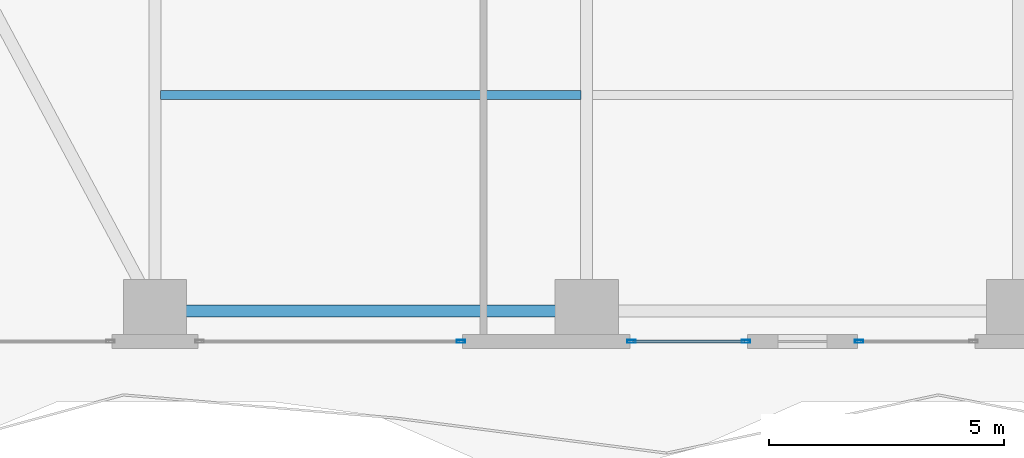
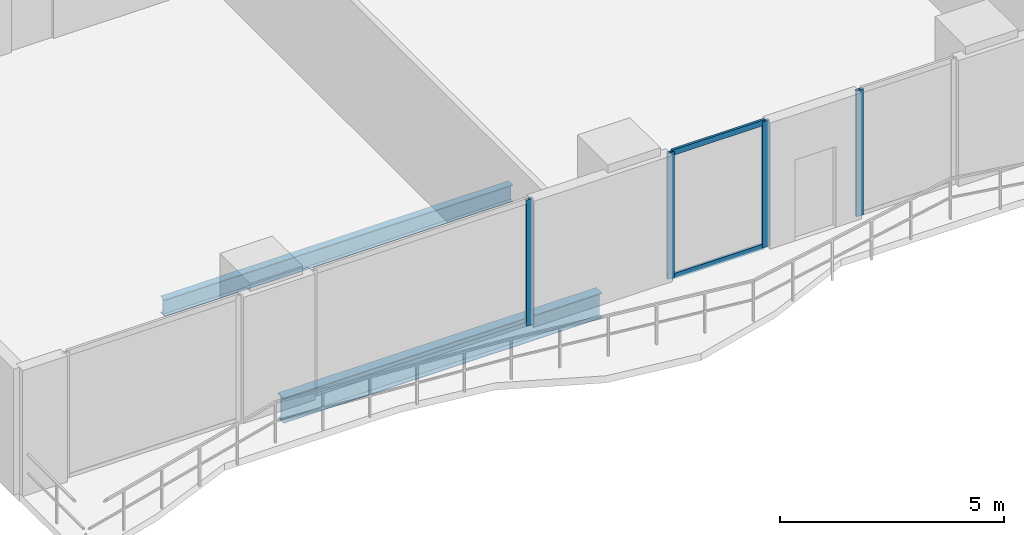
# One storey, part 4 of 29: 6 members, 2 beams, 3 elements without a shape of their own.
"""IFC4 building model written with IfcOpenShell, lengths in metres."""

import ifcopenshell
import ifcopenshell.guid

model = None  # the IFC model being written
_history = None  # IfcOwnerHistory: only IFC2X3 demands one
_inside = {}  # id of a spatial element -> (the spatial element, [elements in it])
_under = {}  # id of a project, library or spatial element -> (it, [spatial elements below it])
_declared = {}  # id of a project -> (the project, [libraries it declares])
_typed = {}  # id of a type object -> (the type object, [elements of that type])
_made_of = {}  # id of a material, layer set ... -> (it, [elements and type objects made of it])


def new_model(schema):
    """Start an empty IFC model of exactly this schema.

    Asked for "IFC4X3", IfcOpenShell would pick the latest addendum, in which some entities
    have other attributes; the version numbers below select the first issue.
    IFC2X3 requires an IfcOwnerHistory on every rooted entity: one is made here for all.
    """
    global model, _history
    if schema == "IFC4X3":
        model = ifcopenshell.file(schema_version=(4, 3, 0, 0))
    else:
        model = ifcopenshell.file(schema=schema)
    _inside.clear()
    _under.clear()
    _declared.clear()
    _typed.clear()
    _made_of.clear()
    _history = None
    if model.schema == "IFC2X3":
        org = make("IfcOrganization", Name="unknown")
        user = make(
            "IfcPersonAndOrganization",
            ThePerson=make("IfcPerson", FamilyName="unknown"),
            TheOrganization=org,
        )
        app = make(
            "IfcApplication",
            ApplicationDeveloper=org,
            Version="unknown",
            ApplicationFullName="unknown",
            ApplicationIdentifier="unknown",
        )
        _history = make(
            "IfcOwnerHistory",
            OwningUser=user,
            OwningApplication=app,
            ChangeAction="ADDED",
            CreationDate=0,
        )
    return model


def make(cls, **values):
    """One entity of the class cls with the attributes given. An attribute that is None is left unset."""
    return model.create_entity(
        cls, **{name: value for name, value in values.items() if value is not None}
    )


def rooted(cls, **values):
    """An entity with a GlobalId (a new one), such as an element, a storey or a relation."""
    return make(cls, GlobalId=ifcopenshell.guid.new(), OwnerHistory=_history, **values)


def si_unit(unit_type, name, prefix=None):
    """IfcSIUnit, for example si_unit("LENGTHUNIT", "METRE", prefix="MILLI")."""
    return make("IfcSIUnit", UnitType=unit_type, Prefix=prefix, Name=name)


def assignment(units):
    """IfcUnitAssignment: the units of a project."""
    return None if units is None else make("IfcUnitAssignment", Units=units)


def point(xyz):
    """IfcCartesianPoint."""
    return None if xyz is None else make("IfcCartesianPoint", Coordinates=xyz)


def direction(xyz):
    """IfcDirection."""
    return None if xyz is None else make("IfcDirection", DirectionRatios=xyz)


def frame(location, z_axis=None, x_axis=None):
    """IfcAxis2Placement3D, a coordinate frame: its origin and axes. An axis left out is left unset."""
    return make(
        "IfcAxis2Placement3D",
        Location=point(location),
        Axis=direction(z_axis),
        RefDirection=direction(x_axis),
    )


def frame_2d(location, x_axis=None):
    """IfcAxis2Placement2D, a coordinate frame in the plane: its origin and x axis."""
    return make(
        "IfcAxis2Placement2D", Location=point(location), RefDirection=direction(x_axis)
    )


def origin():
    """The frame at (0, 0, 0) with its axes left unset."""
    return frame((0.0, 0.0, 0.0))


def origin_2d():
    """The frame at (0, 0) in the plane with its x axis left unset."""
    return frame_2d((0.0, 0.0))


def place(relative_to, where):
    """IfcLocalPlacement: puts the frame where relative to a parent placement (None: the world)."""
    return make(
        "IfcLocalPlacement", PlacementRelTo=relative_to, RelativePlacement=where
    )


def context(
    kind, dimensions, precision=None, world=None, true_north=None, identifier=None
):
    """IfcGeometricRepresentationContext, for example the 3D "Model" context."""
    return make(
        "IfcGeometricRepresentationContext",
        ContextIdentifier=identifier,
        ContextType=kind,
        CoordinateSpaceDimension=dimensions,
        Precision=precision,
        WorldCoordinateSystem=world,
        TrueNorth=true_north,
    )


def subcontext(parent, identifier, kind, view, scale=None):
    """IfcGeometricRepresentationSubContext, for example "Body" below "Model"."""
    return make(
        "IfcGeometricRepresentationSubContext",
        ContextIdentifier=identifier,
        ContextType=kind,
        ParentContext=parent,
        TargetScale=scale,
        TargetView=view,
    )


def project(units=None, contexts=None):
    """IfcProject with its units and contexts."""
    return rooted(
        "IfcProject",
        Name="project",
        RepresentationContexts=contexts,
        UnitsInContext=assignment(units),
    )


def spatial(cls, under=None, at=None, **own):
    """A site, building, storey or space (cls), placed at a placement, below another one or the project."""
    s = rooted(cls, ObjectPlacement=at, **own)
    if under is not None:
        _under.setdefault(under.id(), (under, []))[1].append(s)
    return s


def profile(cls, at=None, kind="AREA", **sizes):
    """A parametric profile (cls). Its sizes go by their IFC names, for example OverallWidth=200.0."""
    return make(cls, ProfileType=kind, Position=at, **sizes)


def hollow_rectangle(**sizes):
    """IfcRectangleHollowProfileDef."""
    return profile("IfcRectangleHollowProfileDef", **sizes)


def i_section(**sizes):
    """IfcIShapeProfileDef."""
    return profile("IfcIShapeProfileDef", **sizes)


def extrude(swept, where, along, depth):
    """IfcExtrudedAreaSolid: the profile swept, set in the frame where, extruded along a direction by depth."""
    return make(
        "IfcExtrudedAreaSolid",
        SweptArea=swept,
        Position=where,
        ExtrudedDirection=direction(along),
        Depth=depth,
    )


def shape(context_of_items, identifier, shape_type, items):
    """IfcShapeRepresentation: the items that make up one representation, for example the "Body"."""
    return make(
        "IfcShapeRepresentation",
        ContextOfItems=context_of_items,
        RepresentationIdentifier=identifier,
        RepresentationType=shape_type,
        Items=items,
    )


def material(Name=None, Category=None):
    """IfcMaterial."""
    return make("IfcMaterial", Name=Name, Category=Category)


def layer(
    of_material, thickness, ventilated=None, Name=None, Category=None, Priority=None
):
    """IfcMaterialLayer: one layer of a wall or slab, of a material (None: an air gap)."""
    return make(
        "IfcMaterialLayer",
        Material=of_material,
        LayerThickness=thickness,
        IsVentilated=ventilated,
        Name=Name,
        Category=Category,
        Priority=Priority,
    )


def layer_set(layers, Name=None):
    """IfcMaterialLayerSet."""
    return make("IfcMaterialLayerSet", MaterialLayers=layers, LayerSetName=Name)


def material_profile(
    of_material, cross_section, Name=None, Category=None, Priority=None
):
    """IfcMaterialProfile: a cross section and its material."""
    return make(
        "IfcMaterialProfile",
        Name=Name,
        Material=of_material,
        Profile=cross_section,
        Priority=Priority,
        Category=Category,
    )


def profile_set(profiles, Name=None, composite=None):
    """IfcMaterialProfileSet."""
    return make(
        "IfcMaterialProfileSet",
        Name=Name,
        MaterialProfiles=profiles,
        CompositeProfile=composite,
    )


def made_of(thing, what):
    """Note that an element or type object is made of a material, layer set ...; save() writes the relation."""
    if what is not None:
        _made_of.setdefault(what.id(), (what, []))[1].append(thing)
    return thing


def type_object(cls, material=None, **own):
    """A type object (cls), such as IfcWallType, which elements share."""
    return made_of(rooted(cls, **own), material)


def element(
    cls,
    number,
    at=None,
    inside=None,
    cuts=None,
    type_object=None,
    material=None,
    context=None,
    identifier="Body",
    shape_type=None,
    held_by="IfcProductDefinitionShape",
    body=None,
    shapes=None,
    **own,
):
    """One element of the class cls, such as IfcWall. Its Tag is "e" and its number.

    at: its placement. inside: the storey or other place that contains it. cuts: it is an
    opening in that element (IfcRelVoidsElement). A single representation is given by context,
    identifier, shape_type and body (its items); several are given by shapes. held_by: the class
    of the entity that holds the representations. save() writes the other relations.
    """
    e = rooted(cls, Tag="e%d" % number, ObjectPlacement=at, **own)
    if body is not None:
        shapes = [shape(context, identifier, shape_type, body)]
    if shapes is not None:
        e.Representation = make(held_by, Representations=shapes)
    if inside is not None:
        _inside.setdefault(inside.id(), (inside, []))[1].append(e)
    if cuts is not None:
        rooted(
            "IfcRelVoidsElement", RelatingBuildingElement=cuts, RelatedOpeningElement=e
        )
    if type_object is not None:
        _typed.setdefault(type_object.id(), (type_object, []))[1].append(e)
    return made_of(e, material)


def aggregate(whole, parts):
    """IfcRelAggregates: a whole, such as a stair, and the parts it consists of."""
    return rooted("IfcRelAggregates", RelatingObject=whole, RelatedObjects=parts)


def save(model, path):
    """Write the relations noted so far, then the file.

    IfcRelAggregates (storeys below a building ...), IfcRelContainedInSpatialStructure (elements
    in a storey), IfcRelDefinesByType, IfcRelAssociatesMaterial and IfcRelDeclares: one each for
    every whole, place, type object, material and project.
    """
    for whole, parts in _under.values():
        aggregate(whole, parts)
    for where, things in _inside.values():
        rooted(
            "IfcRelContainedInSpatialStructure",
            RelatedElements=things,
            RelatingStructure=where,
        )
    for kind, things in _typed.values():
        rooted("IfcRelDefinesByType", RelatedObjects=things, RelatingType=kind)
    for what, things in _made_of.values():
        rooted("IfcRelAssociatesMaterial", RelatedObjects=things, RelatingMaterial=what)
    for by, libraries in _declared.values():
        rooted("IfcRelDeclares", RelatingContext=by, RelatedDefinitions=libraries)
    model.write(path)


model = new_model("IFC4")

# Units and contexts
model_context = context("Model", 3, precision=1e-05, world=origin(), true_north=direction((0.0, 1.0)))
body_context = subcontext(model_context, "Body", "Model", "MODEL_VIEW")
ifc_project = project(units=[si_unit("LENGTHUNIT", "METRE"), si_unit("AREAUNIT", "SQUARE_METRE"), si_unit("VOLUMEUNIT", "CUBIC_METRE"), si_unit("PLANEANGLEUNIT", "RADIAN"), si_unit("MASSUNIT", "GRAM", prefix="KILO")], contexts=[model_context])

# Site, building, storey
site_placement = place(None, origin())
site = spatial("IfcSite", under=ifc_project, at=site_placement, CompositionType="ELEMENT")
building_placement = place(site_placement, origin())
building = spatial("IfcBuilding", under=site, at=building_placement, Name="Zuhayl Quay Hotel", CompositionType="ELEMENT")
storey_placement = place(building_placement, frame((0.0, 0.0, 106.60009765625)))
storey = spatial("IfcBuildingStorey", under=building, at=storey_placement, Name="L26", CompositionType="ELEMENT", Elevation=106.60009765625)

# Beams
ifc_material_1 = material(Name="Steel ASTM A992 Grade 50", Category="steel")
ifc_material_profile_1 = material_profile(ifc_material_1, i_section(OverallWidth=0.25390625, OverallDepth=0.68310546875, WebThickness=0.012451171875, FlangeThickness=0.018798828125, at=origin_2d()), Name="W27X94")
ifc_profile_set_1 = profile_set([ifc_material_profile_1], Name="Steel ASTM A992 Grade 50")
beam_type_1 = type_object("IfcBeamType", Name="BM_B2_W27X94", PredefinedType="BEAM", material=ifc_profile_set_1)
beam_1_placement = place(storey_placement, frame((-13.300048828125, -14.75, -0.5615234375), z_axis=(1.0, 0.0, 0.0), x_axis=(0.0, 1.0, 0.0)))
element("IfcBeam", 1, at=beam_1_placement, inside=storey, type_object=beam_type_1, Name="L26 Floor Beam RG_L26_01", PredefinedType="BEAM", context=body_context, shape_type="SweptSolid", body=[
    extrude(i_section(OverallWidth=0.25390625, OverallDepth=0.68310546875, WebThickness=0.012451171875, FlangeThickness=0.018798828125, at=origin_2d()), origin(), (0.0, 0.0, 1.0), 8.199951171875),
])
ifc_material_profile_2 = material_profile(ifc_material_1, i_section(OverallWidth=0.18994140625, OverallDepth=0.45703125, WebThickness=0.009033203125, FlangeThickness=0.014404296875, at=origin_2d()), Name="W18X50")
ifc_profile_set_2 = profile_set([ifc_material_profile_2], Name="Steel ASTM A992 Grade 50")
beam_type_2 = type_object("IfcBeamType", Name="BM_J2_W18X50", PredefinedType="JOIST", material=ifc_profile_set_2)
beam_2_placement = place(storey_placement, frame((-13.680908203125, -10.14990234375, -0.448486328125), z_axis=(1.0, 0.0, 0.0), x_axis=(0.0, 1.0, 0.0)))
element("IfcBeam", 2, at=beam_2_placement, inside=storey, type_object=beam_type_2, Name="L26 Floor Beam FJ_L26_5_1", PredefinedType="JOIST", context=body_context, shape_type="SweptSolid", body=[
    extrude(i_section(OverallWidth=0.18994140625, OverallDepth=0.45703125, WebThickness=0.009033203125, FlangeThickness=0.014404296875, at=origin_2d()), origin(), (0.0, 0.0, 1.0), 8.9619140625),
])

# Curtain wall, member
ifc_material_2 = material(Name="Anodised Aluminium 6063-T6", Category="aluminium")
ifc_layer = layer(ifc_material_2, 0.179931640625, Name="Anodised Aluminium 6063-T6", Category="aluminium")
ifc_layer_set = layer_set([ifc_layer], Name="Anodised Aluminium 6063-T6")
curtain_wall_type = type_object("IfcCurtainWallType", Name="CW_SYS_Z2", PredefinedType="USERDEFINED", material=ifc_layer_set)
curtain_wall_1_placement = place(storey_placement, origin())
curtain_wall_1 = element("IfcCurtainWall", 3, at=curtain_wall_1_placement, inside=storey, type_object=curtain_wall_type, Name="L26 Curtain Wall ENV_L26_S_CW3", ObjectType="UNITISED CURTAIN WALL", PredefinedType="USERDEFINED")
ifc_material_3 = material(Name="Black-anodised aluminium 6063-T6", Category="aluminium")
ifc_material_profile_3 = material_profile(ifc_material_3, hollow_rectangle(XDim=0.06494140625, YDim=0.179931640625, WallThickness=0.00341796875, at=origin_2d()), Name="ALU180X65")
ifc_profile_set_3 = profile_set([ifc_material_profile_3], Name="Black-anodised aluminium 6063-T6")
member_type_1 = type_object("IfcMemberType", Name="MB_CW_MUL_180", PredefinedType="MULLION", material=ifc_profile_set_3)
member_1_placement = place(storey_placement, frame((1.20751953125, -15.39990234375, 0.0), z_axis=(0.0, 0.0, 1.0), x_axis=(0.0, -1.0, 0.0)))
member_1 = element("IfcMember", 4, at=member_1_placement, type_object=member_type_1, Name="CW-Z2 mullion 2", PredefinedType="MULLION", context=body_context, shape_type="SweptSolid", body=[
    extrude(hollow_rectangle(XDim=0.06494140625, YDim=0.179931640625, WallThickness=0.00341796875, at=origin_2d()), origin(), (0.0, 0.0, 1.0), 3.429931640625),
])
aggregate(curtain_wall_1, [member_1])

# Curtain wall, members
curtain_wall_2_placement = place(storey_placement, origin())
curtain_wall_2 = element("IfcCurtainWall", 5, at=curtain_wall_2_placement, inside=storey, type_object=curtain_wall_type, Name="L26 Curtain Wall ENV_L26_S_CW4", ObjectType="UNITISED CURTAIN WALL", PredefinedType="USERDEFINED")
member_2_placement = place(storey_placement, frame((-1.20751953125, -15.39990234375, 0.0), z_axis=(0.0, 0.0, 1.0), x_axis=(0.0, -1.0, 0.0)))
member_2 = element("IfcMember", 6, at=member_2_placement, type_object=member_type_1, Name="CW-Z2 mullion 1", PredefinedType="MULLION", context=body_context, shape_type="SweptSolid", body=[
    extrude(hollow_rectangle(XDim=0.06494140625, YDim=0.179931640625, WallThickness=0.00341796875, at=origin_2d()), origin(), (0.0, 0.0, 1.0), 3.429931640625),
])
member_3_placement = place(storey_placement, frame((-3.6474609375, -15.39990234375, 0.0), z_axis=(0.0, 0.0, 1.0), x_axis=(0.0, -1.0, 0.0)))
member_3 = element("IfcMember", 7, at=member_3_placement, type_object=member_type_1, Name="CW-Z2 mullion 2", PredefinedType="MULLION", context=body_context, shape_type="SweptSolid", body=[
    extrude(hollow_rectangle(XDim=0.06494140625, YDim=0.179931640625, WallThickness=0.00341796875, at=origin_2d()), origin(), (0.0, 0.0, 1.0), 3.429931640625),
])

# Curtain wall, member
curtain_wall_3_placement = place(storey_placement, origin())
curtain_wall_3 = element("IfcCurtainWall", 8, at=curtain_wall_3_placement, inside=storey, type_object=curtain_wall_type, Name="L26 Curtain Wall ENV_L26_S_CW5", ObjectType="UNITISED CURTAIN WALL", PredefinedType="USERDEFINED")
member_4_placement = place(storey_placement, frame((-7.282470703125, -15.39990234375, 0.0), z_axis=(0.0, 0.0, 1.0), x_axis=(0.0, -1.0, 0.0)))
member_4 = element("IfcMember", 9, at=member_4_placement, type_object=member_type_1, Name="CW-Z2 mullion 1", PredefinedType="MULLION", context=body_context, shape_type="SweptSolid", body=[
    extrude(hollow_rectangle(XDim=0.06494140625, YDim=0.179931640625, WallThickness=0.00341796875, at=origin_2d()), origin(), (0.0, 0.0, 1.0), 3.429931640625),
])
aggregate(curtain_wall_3, [member_4])

# Member
ifc_material_profile_4 = material_profile(ifc_material_3, hollow_rectangle(XDim=0.06005859375, YDim=0.14990234375, WallThickness=0.00341796875, at=origin_2d()), Name="ALU150X60")
ifc_profile_set_4 = profile_set([ifc_material_profile_4], Name="Black-anodised aluminium 6063-T6")
member_type_2 = type_object("IfcMemberType", Name="MB_CW_TRN_150", PredefinedType="USERDEFINED", material=ifc_profile_set_4)
member_5_placement = place(storey_placement, frame((-1.239990234375, -15.39990234375, 0.02978515625), z_axis=(-1.0, 0.0, 0.0), x_axis=(0.0, -1.0, 0.0)))
member_5 = element("IfcMember", 10, at=member_5_placement, type_object=member_type_2, Name="CW-Z2 transom 1.1", ObjectType="TRANSOM", PredefinedType="USERDEFINED", context=body_context, shape_type="SweptSolid", body=[
    extrude(hollow_rectangle(XDim=0.06005859375, YDim=0.14990234375, WallThickness=0.00341796875, at=origin_2d()), origin(), (0.0, 0.0, 1.0), 2.375),
])

member_6_placement = place(storey_placement, frame((-1.239990234375, -15.39990234375, 3.39990234375), z_axis=(-1.0, 0.0, 0.0), x_axis=(0.0, -1.0, 0.0)))
member_6 = element("IfcMember", 11, at=member_6_placement, type_object=member_type_2, Name="CW-Z2 transom 1.2", ObjectType="TRANSOM", PredefinedType="USERDEFINED", context=body_context, shape_type="SweptSolid", body=[
    extrude(hollow_rectangle(XDim=0.06005859375, YDim=0.14990234375, WallThickness=0.00341796875, at=origin_2d()), origin(), (0.0, 0.0, 1.0), 2.375),
])

aggregate(curtain_wall_2, [member_2, member_3, member_5, member_6])

save(model, "model.ifc")
